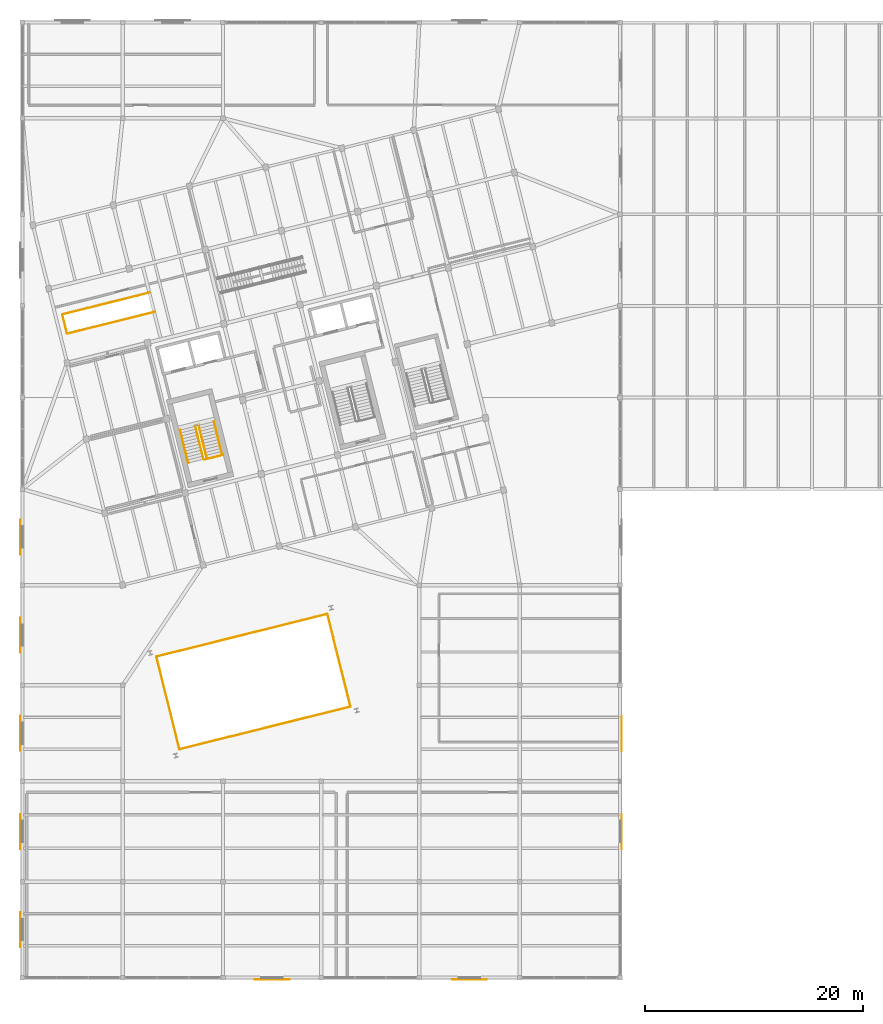
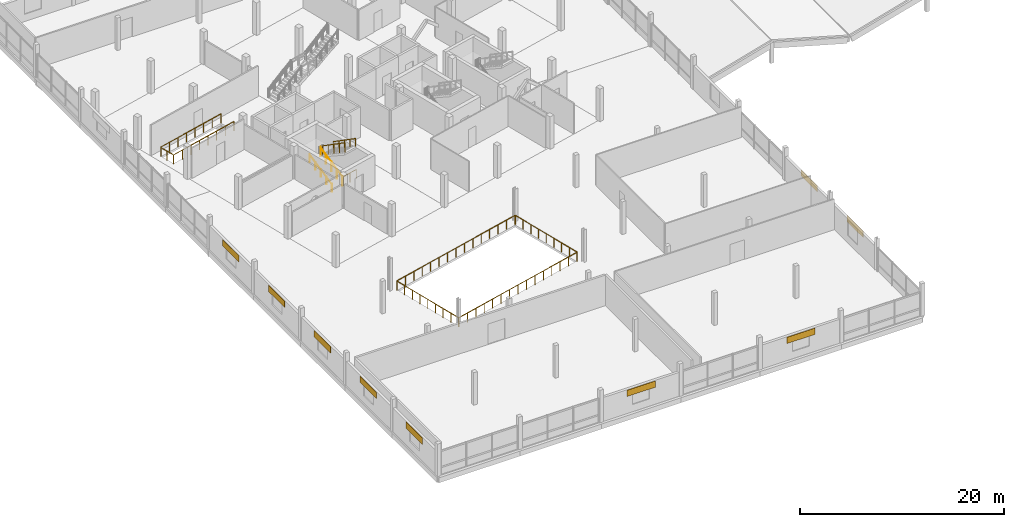
# One storey, part 45 of 47: 12 railings, 9 coverings.
"""IFC4 building model written with IfcOpenShell, lengths in metres."""

from ifc_helpers import new_model, si_unit, direction, frame, origin, origin_2d, place, context, subcontext, project, spatial, rectangle, circle, extrude, material, layer, layer_set, type_object, element, save


model = new_model("IFC4")

# Units and contexts
model_context = context("Model", 3, precision=1e-05, world=origin(), true_north=direction((0.0, 1.0)))
body_context = subcontext(model_context, "Body", "Model", "MODEL_VIEW")
ifc_project = project(units=[si_unit("LENGTHUNIT", "METRE"), si_unit("AREAUNIT", "SQUARE_METRE"), si_unit("VOLUMEUNIT", "CUBIC_METRE"), si_unit("PLANEANGLEUNIT", "RADIAN"), si_unit("MASSUNIT", "GRAM", prefix="KILO")], contexts=[model_context])

# Site, building, storey
site_placement = place(None, origin())
site = spatial("IfcSite", under=ifc_project, at=site_placement, CompositionType="ELEMENT")
building_placement = place(site_placement, origin())
building = spatial("IfcBuilding", under=site, at=building_placement, Name="Meriwether Solvik Hall", CompositionType="ELEMENT")
storey_placement = place(building_placement, frame((0.0, 0.0, 18.300048828125)))
storey = spatial("IfcBuildingStorey", under=building, at=storey_placement, Name="L04", CompositionType="ELEMENT", Elevation=18.300048828125)

# Coverings
ifc_material_1 = material(Name="Acetylated Charred Western Red Cedar Timber", Category="wood")
ifc_layer_1 = layer(ifc_material_1, 0.0400390625)
ifc_layer_set_1 = layer_set([ifc_layer_1], Name="Acetylated Charred Western Red Cedar Timber")
covering_type = type_object("IfcCoveringType", Name="COV-CLAD-TIMB", PredefinedType="CLADDING", material=ifc_layer_set_1)
for number, where, z_axis, x_axis, name in (
    (1, (82.300048828125, 5.0400390625, 2.054931640625), (0.0, 0.0, 1.0), (-1.0, 0.0, 0.0), "L04 Facade Cladding XA_9_2"),
    (2, (100.39990234375, 5.0400390625, 2.054931640625), (0.0, 0.0, 1.0), (-1.0, 0.0, 0.0), "L04 Facade Cladding XA_11_4"),
    (3, (59.239990234375, 9.60009765625, 2.054931640625), (0.0, 0.0, 1.0), (0.0, 1.0, 0.0), "L04 Facade Cladding Y7_1_12"),
    (4, (59.239990234375, 18.60009765625, 2.054931640625), (0.0, 0.0, 1.0), (0.0, 1.0, 0.0), "L04 Facade Cladding Y7_2_13"),
    (5, (59.239990234375, 27.60009765625, 2.054931640625), (0.0, 0.0, 1.0), (0.0, 1.0, 0.0), "L04 Facade Cladding Y7_3_14"),
    (6, (59.239990234375, 36.60009765625, 2.054931640625), (0.0, 0.0, 1.0), (0.0, 1.0, 0.0), "L04 Facade Cladding Y7_4_15"),
    (7, (59.239990234375, 45.60009765625, 2.054931640625), (0.0, 0.0, 1.0), (0.0, 1.0, 0.0), "L04 Facade Cladding Y7_5_16"),
    (8, (114.360107421875, 18.60009765625, 2.054931640625), (0.0, 0.0, 1.0), (0.0, -1.0, 0.0), "L04 Facade Cladding Y13_2_23"),
    (9, (114.360107421875, 27.583984375, 2.054931640625), (0.0, 0.0, 1.0), (0.0, -1.0, 0.0), "L04 Facade Cladding Y13_3_24"),
):
    element("IfcCovering", number, at=place(storey_placement, frame(where, z_axis=z_axis, x_axis=x_axis)), inside=storey, type_object=covering_type, Name=name, PredefinedType="CLADDING", context=body_context, shape_type="SweptSolid", body=[
        extrude(rectangle(XDim=3.199951171875, YDim=0.0400390625, at=origin_2d()), origin(), (0.0, 0.0, 1.0), 0.75),
    ])

# Railings
ifc_material_2 = material(Name="Steel A36 Galvanised", Category="steel")
ifc_layer_2 = layer(ifc_material_2, 0.054931640625)
ifc_layer_set_2 = layer_set([ifc_layer_2], Name="Steel A36 Galvanised")
railing_type_1 = type_object("IfcRailingType", Name="RAIL-STR-GUARD", PredefinedType="GUARDRAIL", material=ifc_layer_set_2)
railing_1_placement = place(storey_placement, frame((76.092041015625, 52.69384765625, 0.0)))
element("IfcRailing", 10, at=railing_1_placement, inside=storey, type_object=railing_type_1, Name="Stair ST-01 Well Guardrail (L04)", PredefinedType="GUARDRAIL", context=body_context, shape_type="SweptSolid", body=[
    extrude(circle(Radius=0.02392578125, at=origin_2d()), frame((0.0, 0.0, 1.09619140625), z_axis=(0.970298223594, 0.241911879182, 0.0), x_axis=(-0.241911879182, 0.970298223594, 0.0)), (0.0, 0.0, 1.0), 1.75),
    extrude(circle(Radius=0.02099609375, at=origin_2d()), origin(), (0.0, 0.0, 1.0), 1.072021484375),
    extrude(circle(Radius=0.02099609375, at=origin_2d()), frame((0.84912109375, 0.211669921875, 0.0)), (0.0, 0.0, 1.0), 1.072021484375),
    extrude(circle(Radius=0.02099609375, at=origin_2d()), frame((1.697998046875, 0.42333984375, 0.0)), (0.0, 0.0, 1.0), 1.072021484375),
])
railing_2_placement = place(storey_placement, frame((76.019287109375, 52.737548828125, 0.0)))
element("IfcRailing", 11, at=railing_2_placement, inside=storey, type_object=railing_type_1, Name="Stair ST-01 Flight 1 Inner Guardrail (L04)", PredefinedType="GUARDRAIL", context=body_context, shape_type="SweptSolid", body=[
    extrude(circle(Radius=0.02392578125, at=origin_2d()), frame((0.0, 0.0, 1.09619140625), z_axis=(-0.205452207734, 0.823924849814, 0.528145086313), x_axis=(-0.970288906122, -0.2419492481, 0.0)), (0.0, 0.0, 1.0), 3.692138671875),
    extrude(circle(Radius=0.02099609375, at=origin_2d()), origin(), (0.0, 0.0, 1.0), 1.072021484375),
    extrude(circle(Radius=0.02099609375, at=origin_2d()), frame((-0.189697265625, 0.760498046875, 0.487548828125)), (0.0, 0.0, 1.0), 1.072021484375),
    extrude(circle(Radius=0.02099609375, at=origin_2d()), frame((-0.37939453125, 1.52099609375, 0.97509765625)), (0.0, 0.0, 1.0), 1.072021484375),
    extrude(circle(Radius=0.02099609375, at=origin_2d()), frame((-0.56884765625, 2.281494140625, 1.46240234375)), (0.0, 0.0, 1.0), 1.072021484375),
    extrude(circle(Radius=0.02099609375, at=origin_2d()), frame((-0.758544921875, 3.0419921875, 1.949951171875)), (0.0, 0.0, 1.0), 1.072021484375),
])
railing_3_placement = place(storey_placement, frame((75.5712890625, 55.85693359375, 1.949951171875)))
element("IfcRailing", 12, at=railing_3_placement, inside=storey, type_object=railing_type_1, Name="Stair ST-01 Flight 2 Inner Guardrail (L04)", PredefinedType="GUARDRAIL", context=body_context, shape_type="SweptSolid", body=[
    extrude(circle(Radius=0.02392578125, at=origin_2d()), frame((0.0, 0.0, 1.09619140625), z_axis=(0.205388872055, -0.823936041794, 0.528152260498), x_axis=(0.970307185051, 0.241875932325, 0.0)), (0.0, 0.0, 1.0), 3.692138671875),
    extrude(circle(Radius=0.02099609375, at=origin_2d()), origin(), (0.0, 0.0, 1.0), 1.072021484375),
    extrude(circle(Radius=0.02099609375, at=origin_2d()), frame((0.189453125, -0.760498046875, 0.487548828125)), (0.0, 0.0, 1.0), 1.072021484375),
    extrude(circle(Radius=0.02099609375, at=origin_2d()), frame((0.379150390625, -1.52099609375, 0.97509765625)), (0.0, 0.0, 1.0), 1.072021484375),
    extrude(circle(Radius=0.02099609375, at=origin_2d()), frame((0.56884765625, -2.281494140625, 1.46240234375)), (0.0, 0.0, 1.0), 1.072021484375),
    extrude(circle(Radius=0.02099609375, at=origin_2d()), frame((0.75830078125, -3.0419921875, 1.949951171875)), (0.0, 0.0, 1.0), 1.072021484375),
])
railing_4_placement = place(storey_placement, frame((71.4912109375, 66.227783203125, 0.0)))
element("IfcRailing", 13, at=railing_4_placement, inside=storey, type_object=railing_type_1, Name="Stair ST-ED1 Arrival Well Guardrail (L04) 1", PredefinedType="GUARDRAIL", context=body_context, shape_type="SweptSolid", body=[
    extrude(circle(Radius=0.02392578125, at=origin_2d()), frame((0.0, 0.0, 1.09619140625), z_axis=(-0.970300148614, -0.241904157879, 0.0), x_axis=(0.241904157879, -0.970300148614, 0.0)), (0.0, 0.0, 1.0), 8.18798828125),
    extrude(circle(Radius=0.02099609375, at=origin_2d()), origin(), (0.0, 0.0, 1.0), 1.072021484375),
    extrude(circle(Radius=0.02099609375, at=origin_2d()), frame((-1.135009765625, -0.282958984375, 0.0)), (0.0, 0.0, 1.0), 1.072021484375),
    extrude(circle(Radius=0.02099609375, at=origin_2d()), frame((-2.27001953125, -0.56591796875, 0.0)), (0.0, 0.0, 1.0), 1.072021484375),
    extrude(circle(Radius=0.02099609375, at=origin_2d()), frame((-3.405029296875, -0.848876953125, 0.0)), (0.0, 0.0, 1.0), 1.072021484375),
    extrude(circle(Radius=0.02099609375, at=origin_2d()), frame((-4.539794921875, -1.1318359375, 0.0)), (0.0, 0.0, 1.0), 1.072021484375),
    extrude(circle(Radius=0.02099609375, at=origin_2d()), frame((-5.6748046875, -1.414794921875, 0.0)), (0.0, 0.0, 1.0), 1.072021484375),
    extrude(circle(Radius=0.02099609375, at=origin_2d()), frame((-6.809814453125, -1.69775390625, 0.0)), (0.0, 0.0, 1.0), 1.072021484375),
    extrude(circle(Radius=0.02099609375, at=origin_2d()), frame((-7.94482421875, -1.980712890625, 0.0)), (0.0, 0.0, 1.0), 1.072021484375),
])
railing_5_placement = place(storey_placement, frame((63.507568359375, 64.270263671875, 0.0)))
element("IfcRailing", 14, at=railing_5_placement, inside=storey, type_object=railing_type_1, Name="Stair ST-ED1 Arrival Well Guardrail (L04) 2", PredefinedType="GUARDRAIL", context=body_context, shape_type="SweptSolid", body=[
    extrude(circle(Radius=0.02392578125, at=origin_2d()), frame((0.0, 0.0, 1.09619140625), z_axis=(-0.241917567921, 0.970296805277, 0.0), x_axis=(-0.970296805277, -0.241917567921, 0.0)), (0.0, 0.0, 1.0), 1.76611328125),
    extrude(circle(Radius=0.02099609375, at=origin_2d()), origin(), (0.0, 0.0, 1.0), 1.072021484375),
    extrude(circle(Radius=0.02099609375, at=origin_2d()), frame((-0.213623046875, 0.85693359375, 0.0)), (0.0, 0.0, 1.0), 1.072021484375),
    extrude(circle(Radius=0.02099609375, at=origin_2d()), frame((-0.42724609375, 1.713623046875, 0.0)), (0.0, 0.0, 1.0), 1.072021484375),
])
railing_6_placement = place(storey_placement, frame((63.103515625, 66.022705078125, 0.0)))
element("IfcRailing", 15, at=railing_6_placement, inside=storey, type_object=railing_type_1, Name="Stair ST-ED1 Arrival Well Guardrail (L04) 3", PredefinedType="GUARDRAIL", context=body_context, shape_type="SweptSolid", body=[
    extrude(circle(Radius=0.02392578125, at=origin_2d()), frame((0.0, 0.0, 1.09619140625), z_axis=(0.970300148614, 0.241904157879, 0.0), x_axis=(-0.241904157879, 0.970300148614, 0.0)), (0.0, 0.0, 1.0), 8.18798828125),
    extrude(circle(Radius=0.02099609375, at=origin_2d()), origin(), (0.0, 0.0, 1.0), 1.072021484375),
    extrude(circle(Radius=0.02099609375, at=origin_2d()), frame((1.135009765625, 0.282958984375, 0.0)), (0.0, 0.0, 1.0), 1.072021484375),
    extrude(circle(Radius=0.02099609375, at=origin_2d()), frame((2.27001953125, 0.56591796875, 0.0)), (0.0, 0.0, 1.0), 1.072021484375),
    extrude(circle(Radius=0.02099609375, at=origin_2d()), frame((3.405029296875, 0.848876953125, 0.0)), (0.0, 0.0, 1.0), 1.072021484375),
    extrude(circle(Radius=0.02099609375, at=origin_2d()), frame((4.539794921875, 1.1318359375, 0.0)), (0.0, 0.0, 1.0), 1.072021484375),
    extrude(circle(Radius=0.02099609375, at=origin_2d()), frame((5.6748046875, 1.414794921875, 0.0)), (0.0, 0.0, 1.0), 1.072021484375),
    extrude(circle(Radius=0.02099609375, at=origin_2d()), frame((6.809814453125, 1.69775390625, 0.0)), (0.0, 0.0, 1.0), 1.072021484375),
    extrude(circle(Radius=0.02099609375, at=origin_2d()), frame((7.94482421875, 1.980712890625, 0.0)), (0.0, 0.0, 1.0), 1.072021484375),
])
ifc_material_3 = material(Name="Stainless Steel AISI 316", Category="steel")
ifc_layer_3 = layer(ifc_material_3, 0.044921875)
ifc_layer_set_3 = layer_set([ifc_layer_3], Name="Stainless Steel AISI 316")
railing_type_2 = type_object("IfcRailingType", Name="RAIL-STR-HAND", PredefinedType="HANDRAIL", material=ifc_layer_set_3)
railing_7_placement = place(storey_placement, frame((74.6220703125, 52.38916015625, 0.0)))
element("IfcRailing", 16, at=railing_7_placement, inside=storey, type_object=railing_type_2, Name="Stair ST-01 Lower Handrail (L04)", PredefinedType="HANDRAIL", context=body_context, shape_type="SweptSolid", body=[
    extrude(circle(Radius=0.02392578125, at=origin_2d()), frame((0.0, 0.0, 0.89599609375), z_axis=(-0.205467106702, 0.823914517495, 0.528155408876), x_axis=(-0.970284074567, -0.241968623258, 0.0)), (0.0, 0.0, 1.0), 3.698974609375),
    extrude(circle(Radius=0.02099609375, at=origin_2d()), origin(), (0.0, 0.0, 1.0), 0.871826171875),
    extrude(circle(Radius=0.02099609375, at=origin_2d()), frame((-0.18994140625, 0.761962890625, 0.48828125)), (0.0, 0.0, 1.0), 0.871826171875),
    extrude(circle(Radius=0.02099609375, at=origin_2d()), frame((-0.3798828125, 1.52392578125, 0.976806640625)), (0.0, 0.0, 1.0), 0.871826171875),
    extrude(circle(Radius=0.02099609375, at=origin_2d()), frame((-0.570068359375, 2.28564453125, 1.46533203125)), (0.0, 0.0, 1.0), 0.871826171875),
    extrude(circle(Radius=0.02099609375, at=origin_2d()), frame((-0.760009765625, 3.047607421875, 1.95361328125)), (0.0, 0.0, 1.0), 0.871826171875),
])
railing_8_placement = place(storey_placement, frame((76.968505859375, 56.205322265625, 1.949951171875)))
element("IfcRailing", 17, at=railing_8_placement, inside=storey, type_object=railing_type_2, Name="Stair ST-01 Upper Handrail (L04)", PredefinedType="HANDRAIL", context=body_context, shape_type="SweptSolid", body=[
    extrude(circle(Radius=0.02392578125, at=origin_2d()), frame((0.0, 0.0, 0.89599609375), z_axis=(0.205403888919, -0.823925689387, 0.528162570414), x_axis=(0.970302321101, 0.241895443665, 0.0)), (0.0, 0.0, 1.0), 3.698974609375),
    extrude(circle(Radius=0.02099609375, at=origin_2d()), origin(), (0.0, 0.0, 1.0), 0.871826171875),
    extrude(circle(Radius=0.02099609375, at=origin_2d()), frame((0.18994140625, -0.761962890625, 0.48828125)), (0.0, 0.0, 1.0), 0.871826171875),
    extrude(circle(Radius=0.02099609375, at=origin_2d()), frame((0.3798828125, -1.52392578125, 0.976806640625)), (0.0, 0.0, 1.0), 0.871826171875),
    extrude(circle(Radius=0.02099609375, at=origin_2d()), frame((0.56982421875, -2.28564453125, 1.46533203125)), (0.0, 0.0, 1.0), 0.871826171875),
    extrude(circle(Radius=0.02099609375, at=origin_2d()), frame((0.759765625, -3.047607421875, 1.95361328125)), (0.0, 0.0, 1.0), 0.871826171875),
])
ifc_material_4 = material(Name="Laminated Tempered Glass and Stainless Steel AISI 316", Category="steel")
ifc_layer_4 = layer(ifc_material_4, 0.06005859375)
ifc_layer_set_4 = layer_set([ifc_layer_4], Name="Laminated Tempered Glass and Stainless Steel AISI 316")
railing_type_3 = type_object("IfcRailingType", Name="RAIL-TERR-1120", PredefinedType="GUARDRAIL", material=ifc_layer_set_4)
railing_9_placement = place(storey_placement, frame((73.8505859375, 26.14306640625, 0.0)))
element("IfcRailing", 18, at=railing_9_placement, inside=storey, type_object=railing_type_3, Name="L04 Civic Atrium Cleft Guardrail 1", PredefinedType="GUARDRAIL", context=body_context, shape_type="SweptSolid", body=[
    extrude(circle(Radius=0.02392578125, at=origin_2d()), frame((0.0, 0.0, 1.09619140625), z_axis=(0.970298438081, 0.241911018883, 0.0), x_axis=(-0.241911018883, 0.970298438081, 0.0)), (0.0, 0.0, 1.0), 16.095947265625),
    extrude(circle(Radius=0.02099609375, at=origin_2d()), origin(), (0.0, 0.0, 1.0), 1.072021484375),
    extrude(circle(Radius=0.02099609375, at=origin_2d()), frame((1.115478515625, 0.278076171875, 0.0)), (0.0, 0.0, 1.0), 1.072021484375),
    extrude(circle(Radius=0.02099609375, at=origin_2d()), frame((2.231201171875, 0.55615234375, 0.0)), (0.0, 0.0, 1.0), 1.072021484375),
    extrude(circle(Radius=0.02099609375, at=origin_2d()), frame((3.3466796875, 0.83447265625, 0.0)), (0.0, 0.0, 1.0), 1.072021484375),
    extrude(circle(Radius=0.02099609375, at=origin_2d()), frame((4.462158203125, 1.112548828125, 0.0)), (0.0, 0.0, 1.0), 1.072021484375),
    extrude(circle(Radius=0.02099609375, at=origin_2d()), frame((5.577880859375, 1.390625, 0.0)), (0.0, 0.0, 1.0), 1.072021484375),
    extrude(circle(Radius=0.02099609375, at=origin_2d()), frame((6.693359375, 1.668701171875, 0.0)), (0.0, 0.0, 1.0), 1.072021484375),
    extrude(circle(Radius=0.02099609375, at=origin_2d()), frame((7.80908203125, 1.94677734375, 0.0)), (0.0, 0.0, 1.0), 1.072021484375),
    extrude(circle(Radius=0.02099609375, at=origin_2d()), frame((8.924560546875, 2.22509765625, 0.0)), (0.0, 0.0, 1.0), 1.072021484375),
    extrude(circle(Radius=0.02099609375, at=origin_2d()), frame((10.0400390625, 2.503173828125, 0.0)), (0.0, 0.0, 1.0), 1.072021484375),
    extrude(circle(Radius=0.02099609375, at=origin_2d()), frame((11.15576171875, 2.78125, 0.0)), (0.0, 0.0, 1.0), 1.072021484375),
    extrude(circle(Radius=0.02099609375, at=origin_2d()), frame((12.271240234375, 3.059326171875, 0.0)), (0.0, 0.0, 1.0), 1.072021484375),
    extrude(circle(Radius=0.02099609375, at=origin_2d()), frame((13.38671875, 3.337646484375, 0.0)), (0.0, 0.0, 1.0), 1.072021484375),
    extrude(circle(Radius=0.02099609375, at=origin_2d()), frame((14.50244140625, 3.61572265625, 0.0)), (0.0, 0.0, 1.0), 1.072021484375),
    extrude(circle(Radius=0.02099609375, at=origin_2d()), frame((15.617919921875, 3.893798828125, 0.0)), (0.0, 0.0, 1.0), 1.072021484375),
])
railing_10_placement = place(storey_placement, frame((89.49169921875, 30.07568359375, 0.0)))
element("IfcRailing", 19, at=railing_10_placement, inside=storey, type_object=railing_type_3, Name="L04 Civic Atrium Cleft Guardrail 2", PredefinedType="GUARDRAIL", context=body_context, shape_type="SweptSolid", body=[
    extrude(circle(Radius=0.02392578125, at=origin_2d()), frame((0.0, 0.0, 1.09619140625), z_axis=(-0.241921231997, 0.970295891731, 0.0), x_axis=(-0.970295891731, -0.241921231997, 0.0)), (0.0, 0.0, 1.0), 8.696044921875),
    extrude(circle(Radius=0.02099609375, at=origin_2d()), origin(), (0.0, 0.0, 1.0), 1.072021484375),
    extrude(circle(Radius=0.02099609375, at=origin_2d()), frame((-0.262939453125, 1.0546875, 0.0)), (0.0, 0.0, 1.0), 1.072021484375),
    extrude(circle(Radius=0.02099609375, at=origin_2d()), frame((-0.52587890625, 2.109375, 0.0)), (0.0, 0.0, 1.0), 1.072021484375),
    extrude(circle(Radius=0.02099609375, at=origin_2d()), frame((-0.788818359375, 3.1640625, 0.0)), (0.0, 0.0, 1.0), 1.072021484375),
    extrude(circle(Radius=0.02099609375, at=origin_2d()), frame((-1.0517578125, 4.21875, 0.0)), (0.0, 0.0, 1.0), 1.072021484375),
    extrude(circle(Radius=0.02099609375, at=origin_2d()), frame((-1.31494140625, 5.273681640625, 0.0)), (0.0, 0.0, 1.0), 1.072021484375),
    extrude(circle(Radius=0.02099609375, at=origin_2d()), frame((-1.577880859375, 6.328369140625, 0.0)), (0.0, 0.0, 1.0), 1.072021484375),
    extrude(circle(Radius=0.02099609375, at=origin_2d()), frame((-1.8408203125, 7.383056640625, 0.0)), (0.0, 0.0, 1.0), 1.072021484375),
    extrude(circle(Radius=0.02099609375, at=origin_2d()), frame((-2.103759765625, 8.437744140625, 0.0)), (0.0, 0.0, 1.0), 1.072021484375),
])
railing_11_placement = place(storey_placement, frame((87.34912109375, 38.53662109375, 0.0)))
element("IfcRailing", 20, at=railing_11_placement, inside=storey, type_object=railing_type_3, Name="L04 Civic Atrium Cleft Guardrail 3", PredefinedType="GUARDRAIL", context=body_context, shape_type="SweptSolid", body=[
    extrude(circle(Radius=0.02392578125, at=origin_2d()), frame((0.0, 0.0, 1.09619140625), z_axis=(-0.970297550429, -0.241914579206, 0.0), x_axis=(0.241914579206, -0.970297550429, 0.0)), (0.0, 0.0, 1.0), 16.095703125),
    extrude(circle(Radius=0.02099609375, at=origin_2d()), origin(), (0.0, 0.0, 1.0), 1.072021484375),
    extrude(circle(Radius=0.02099609375, at=origin_2d()), frame((-1.115478515625, -0.278076171875, 0.0)), (0.0, 0.0, 1.0), 1.072021484375),
    extrude(circle(Radius=0.02099609375, at=origin_2d()), frame((-2.231201171875, -0.55615234375, 0.0)), (0.0, 0.0, 1.0), 1.072021484375),
    extrude(circle(Radius=0.02099609375, at=origin_2d()), frame((-3.3466796875, -0.83447265625, 0.0)), (0.0, 0.0, 1.0), 1.072021484375),
    extrude(circle(Radius=0.02099609375, at=origin_2d()), frame((-4.462158203125, -1.112548828125, 0.0)), (0.0, 0.0, 1.0), 1.072021484375),
    extrude(circle(Radius=0.02099609375, at=origin_2d()), frame((-5.57763671875, -1.390625, 0.0)), (0.0, 0.0, 1.0), 1.072021484375),
    extrude(circle(Radius=0.02099609375, at=origin_2d()), frame((-6.693359375, -1.668701171875, 0.0)), (0.0, 0.0, 1.0), 1.072021484375),
    extrude(circle(Radius=0.02099609375, at=origin_2d()), frame((-7.808837890625, -1.94677734375, 0.0)), (0.0, 0.0, 1.0), 1.072021484375),
    extrude(circle(Radius=0.02099609375, at=origin_2d()), frame((-8.92431640625, -2.22509765625, 0.0)), (0.0, 0.0, 1.0), 1.072021484375),
    extrude(circle(Radius=0.02099609375, at=origin_2d()), frame((-10.0400390625, -2.503173828125, 0.0)), (0.0, 0.0, 1.0), 1.072021484375),
    extrude(circle(Radius=0.02099609375, at=origin_2d()), frame((-11.155517578125, -2.78125, 0.0)), (0.0, 0.0, 1.0), 1.072021484375),
    extrude(circle(Radius=0.02099609375, at=origin_2d()), frame((-12.27099609375, -3.059326171875, 0.0)), (0.0, 0.0, 1.0), 1.072021484375),
    extrude(circle(Radius=0.02099609375, at=origin_2d()), frame((-13.386474609375, -3.337646484375, 0.0)), (0.0, 0.0, 1.0), 1.072021484375),
    extrude(circle(Radius=0.02099609375, at=origin_2d()), frame((-14.502197265625, -3.61572265625, 0.0)), (0.0, 0.0, 1.0), 1.072021484375),
    extrude(circle(Radius=0.02099609375, at=origin_2d()), frame((-15.61767578125, -3.893798828125, 0.0)), (0.0, 0.0, 1.0), 1.072021484375),
])
railing_12_placement = place(storey_placement, frame((71.7080078125, 34.60400390625, 0.0)))
element("IfcRailing", 21, at=railing_12_placement, inside=storey, type_object=railing_type_3, Name="L04 Civic Atrium Cleft Guardrail 4", PredefinedType="GUARDRAIL", context=body_context, shape_type="SweptSolid", body=[
    extrude(circle(Radius=0.02392578125, at=origin_2d()), frame((0.0, 0.0, 1.09619140625), z_axis=(0.241921231997, -0.970295891731, 0.0), x_axis=(0.970295891731, 0.241921231997, 0.0)), (0.0, 0.0, 1.0), 8.696044921875),
    extrude(circle(Radius=0.02099609375, at=origin_2d()), origin(), (0.0, 0.0, 1.0), 1.072021484375),
    extrude(circle(Radius=0.02099609375, at=origin_2d()), frame((0.262939453125, -1.0546875, 0.0)), (0.0, 0.0, 1.0), 1.072021484375),
    extrude(circle(Radius=0.02099609375, at=origin_2d()), frame((0.52587890625, -2.109375, 0.0)), (0.0, 0.0, 1.0), 1.072021484375),
    extrude(circle(Radius=0.02099609375, at=origin_2d()), frame((0.788818359375, -3.1640625, 0.0)), (0.0, 0.0, 1.0), 1.072021484375),
    extrude(circle(Radius=0.02099609375, at=origin_2d()), frame((1.0517578125, -4.21875, 0.0)), (0.0, 0.0, 1.0), 1.072021484375),
    extrude(circle(Radius=0.02099609375, at=origin_2d()), frame((1.31494140625, -5.273681640625, 0.0)), (0.0, 0.0, 1.0), 1.072021484375),
    extrude(circle(Radius=0.02099609375, at=origin_2d()), frame((1.577880859375, -6.328369140625, 0.0)), (0.0, 0.0, 1.0), 1.072021484375),
    extrude(circle(Radius=0.02099609375, at=origin_2d()), frame((1.8408203125, -7.383056640625, 0.0)), (0.0, 0.0, 1.0), 1.072021484375),
    extrude(circle(Radius=0.02099609375, at=origin_2d()), frame((2.103759765625, -8.437744140625, 0.0)), (0.0, 0.0, 1.0), 1.072021484375),
])

save(model, "model.ifc")
